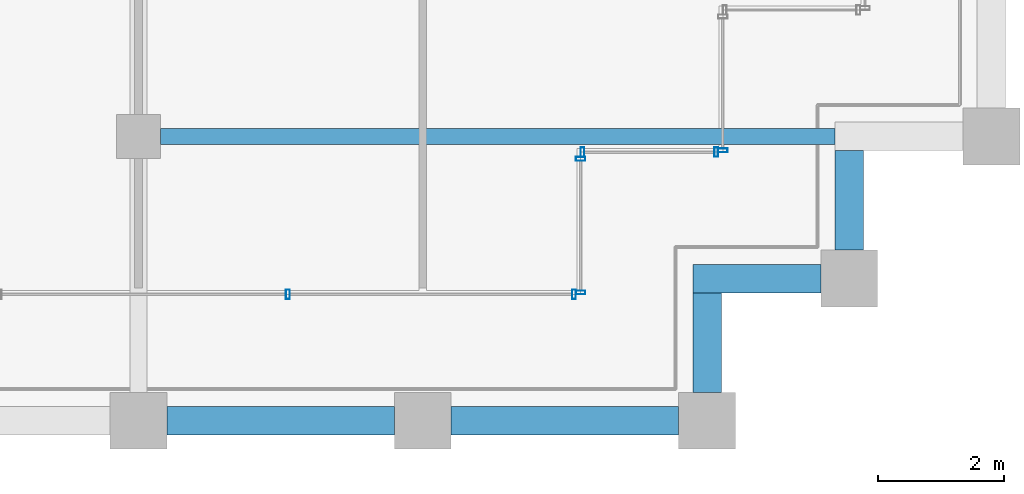
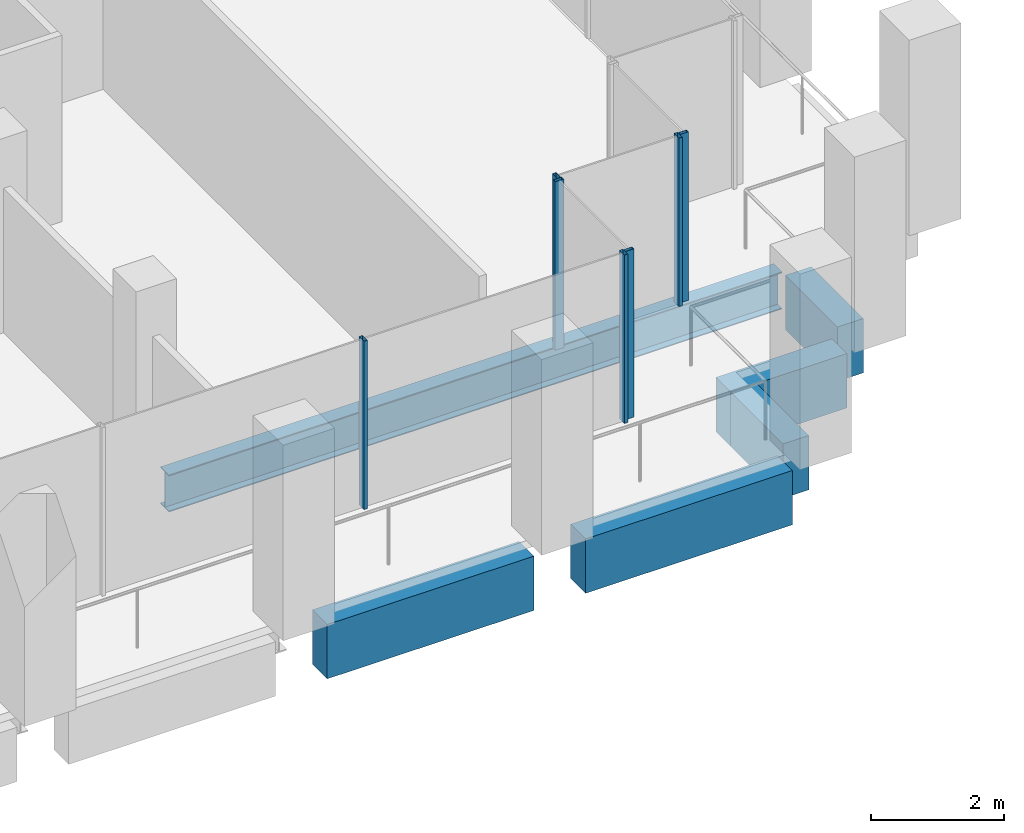
# One storey, part 12 of 40: 7 members, 6 beams, 4 elements without a shape of their own.
"""IFC4 building model written with IfcOpenShell, lengths in metres."""

from ifc_helpers import new_model, si_unit, direction, frame, origin, origin_2d, place, context, subcontext, project, spatial, rectangle, hollow_rectangle, i_section, extrude, material, material_profile, profile_set, type_object, element, aggregate, save


model = new_model("IFC4")

# Units and contexts
model_context = context("Model", 3, precision=1e-05, world=origin(), true_north=direction((0.0, 1.0)))
body_context = subcontext(model_context, "Body", "Model", "MODEL_VIEW")
ifc_project = project(units=[si_unit("LENGTHUNIT", "METRE"), si_unit("AREAUNIT", "SQUARE_METRE"), si_unit("VOLUMEUNIT", "CUBIC_METRE"), si_unit("PLANEANGLEUNIT", "RADIAN"), si_unit("MASSUNIT", "GRAM", prefix="KILO")], contexts=[model_context])

# Site, building, storey
site_placement = place(None, origin())
site = spatial("IfcSite", under=ifc_project, at=site_placement, CompositionType="ELEMENT")
building_placement = place(site_placement, origin())
building = spatial("IfcBuilding", under=site, at=building_placement, Name="Altepetl Exchange Towers", CompositionType="ELEMENT")
storey_placement = place(building_placement, frame((0.0, 0.0, 165.39990234375)))
storey = spatial("IfcBuildingStorey", under=building, at=storey_placement, Name="L41", CompositionType="ELEMENT", Elevation=165.39990234375)

# Beam
ifc_material_1 = material(Name="Steel S355", Category="steel")
ifc_material_profile_1 = material_profile(ifc_material_1, i_section(OverallWidth=0.25390625, OverallDepth=0.68408203125, WebThickness=0.012451171875, FlangeThickness=0.018798828125, at=origin_2d()), Name="W27X94")
ifc_profile_set_1 = profile_set([ifc_material_profile_1], Name="Steel S355")
beam_type_1 = type_object("IfcBeamType", Name="Floor beam W27X94", PredefinedType="BEAM", material=ifc_profile_set_1)
beam_1_placement = place(storey_placement, frame((58.85009765625, 31.5, -0.491943359375), z_axis=(1.0, 0.0, 0.0), x_axis=(0.0, 1.0, 0.0)))
element("IfcBeam", 1, at=beam_1_placement, inside=storey, type_object=beam_type_1, Name="bm:A:L41:006", PredefinedType="BEAM", context=body_context, shape_type="SweptSolid", body=[
    extrude(i_section(OverallWidth=0.25390625, OverallDepth=0.68408203125, WebThickness=0.012451171875, FlangeThickness=0.018798828125, at=origin_2d()), origin(), (0.0, 0.0, 1.0), 10.6748046875),
])

# Curtain wall, members
ifc_material_2 = material(Name="Aluminium 6063-T6 glazing", Category="aluminium")
curtain_wall_type = type_object("IfcCurtainWallType", Name="Loggia glazing system", PredefinedType="NOTDEFINED", material=ifc_material_2)
curtain_wall_1_placement = place(storey_placement, origin())
curtain_wall_1 = element("IfcCurtainWall", 2, at=curtain_wall_1_placement, inside=storey, type_object=curtain_wall_type, Name="CW1 run", PredefinedType="NOTDEFINED")
ifc_material_3 = material(Name="Aluminium 6063-T6", Category="aluminium")
ifc_material_profile_2 = material_profile(ifc_material_3, hollow_rectangle(XDim=0.06005859375, YDim=0.14990234375, WallThickness=0.0029296875, at=origin_2d()), Name="Mullion 60x150 aluminium")
ifc_profile_set_2 = profile_set([ifc_material_profile_2], Name="Aluminium 6063-T6")
member_type = type_object("IfcMemberType", Name="Mullion 60x150 aluminium", PredefinedType="MULLION", material=ifc_profile_set_2)
member_1_placement = place(storey_placement, frame((60.8642578125, 29.0, 0.0)))
member_1 = element("IfcMember", 3, at=member_1_placement, type_object=member_type, Name="MU1 mullion", PredefinedType="MULLION", context=body_context, shape_type="SweptSolid", body=[
    extrude(hollow_rectangle(XDim=0.06005859375, YDim=0.14990234375, WallThickness=0.0029296875, at=origin_2d()), origin(), (0.0, 0.0, 1.0), 3.10009765625),
])
member_2_placement = place(storey_placement, frame((65.39501953125, 29.0, 0.0)))
member_2 = element("IfcMember", 4, at=member_2_placement, type_object=member_type, Name="MU1 mullion", PredefinedType="MULLION", context=body_context, shape_type="SweptSolid", body=[
    extrude(hollow_rectangle(XDim=0.06005859375, YDim=0.14990234375, WallThickness=0.0029296875, at=origin_2d()), origin(), (0.0, 0.0, 1.0), 3.10009765625),
])
aggregate(curtain_wall_1, [member_1, member_2])

curtain_wall_2_placement = place(storey_placement, origin())
curtain_wall_2 = element("IfcCurtainWall", 5, at=curtain_wall_2_placement, inside=storey, type_object=curtain_wall_type, Name="CW1 run", PredefinedType="NOTDEFINED")
member_3_placement = place(storey_placement, frame((65.5, 29.030029296875, 0.0), z_axis=(0.0, 0.0, 1.0), x_axis=(0.0, 1.0, 0.0)))
member_3 = element("IfcMember", 6, at=member_3_placement, type_object=member_type, Name="MU1 mullion", PredefinedType="MULLION", context=body_context, shape_type="SweptSolid", body=[
    extrude(hollow_rectangle(XDim=0.06005859375, YDim=0.14990234375, WallThickness=0.0029296875, at=origin_2d()), origin(), (0.0, 0.0, 1.0), 3.10009765625),
])
member_4_placement = place(storey_placement, frame((65.5, 31.14501953125, 0.0), z_axis=(0.0, 0.0, 1.0), x_axis=(0.0, 1.0, 0.0)))
member_4 = element("IfcMember", 7, at=member_4_placement, type_object=member_type, Name="MU1 mullion", PredefinedType="MULLION", context=body_context, shape_type="SweptSolid", body=[
    extrude(hollow_rectangle(XDim=0.06005859375, YDim=0.14990234375, WallThickness=0.0029296875, at=origin_2d()), origin(), (0.0, 0.0, 1.0), 3.10009765625),
])
aggregate(curtain_wall_2, [member_3, member_4])

curtain_wall_3_placement = place(storey_placement, origin())
curtain_wall_3 = element("IfcCurtainWall", 8, at=curtain_wall_3_placement, inside=storey, type_object=curtain_wall_type, Name="CW1 run", PredefinedType="NOTDEFINED")
member_5_placement = place(storey_placement, frame((65.530029296875, 31.25, 0.0)))
member_5 = element("IfcMember", 9, at=member_5_placement, type_object=member_type, Name="MU1 mullion", PredefinedType="MULLION", context=body_context, shape_type="SweptSolid", body=[
    extrude(hollow_rectangle(XDim=0.06005859375, YDim=0.14990234375, WallThickness=0.0029296875, at=origin_2d()), origin(), (0.0, 0.0, 1.0), 3.10009765625),
])
member_6_placement = place(storey_placement, frame((67.64501953125, 31.25, 0.0)))
member_6 = element("IfcMember", 10, at=member_6_placement, type_object=member_type, Name="MU1 mullion", PredefinedType="MULLION", context=body_context, shape_type="SweptSolid", body=[
    extrude(hollow_rectangle(XDim=0.06005859375, YDim=0.14990234375, WallThickness=0.0029296875, at=origin_2d()), origin(), (0.0, 0.0, 1.0), 3.10009765625),
])
aggregate(curtain_wall_3, [member_5, member_6])

# Curtain wall, member
curtain_wall_4_placement = place(storey_placement, origin())
curtain_wall_4 = element("IfcCurtainWall", 11, at=curtain_wall_4_placement, inside=storey, type_object=curtain_wall_type, Name="CW1 run", PredefinedType="NOTDEFINED")
member_7_placement = place(storey_placement, frame((67.75, 31.280029296875, 0.0), z_axis=(0.0, 0.0, 1.0), x_axis=(0.0, 1.0, 0.0)))
member_7 = element("IfcMember", 12, at=member_7_placement, type_object=member_type, Name="MU1 mullion", PredefinedType="MULLION", context=body_context, shape_type="SweptSolid", body=[
    extrude(hollow_rectangle(XDim=0.06005859375, YDim=0.14990234375, WallThickness=0.0029296875, at=origin_2d()), origin(), (0.0, 0.0, 1.0), 3.10009765625),
])
aggregate(curtain_wall_4, [member_7])

# Beams
ifc_material_4 = material(Name="Concrete C50/60 precast with cantera amarilla facing", Category="concrete")
ifc_material_profile_3 = material_profile(ifc_material_4, rectangle(XDim=0.449951171875, YDim=1.0, at=origin_2d()), Name="450 x 1000")
ifc_profile_set_3 = profile_set([ifc_material_profile_3], Name="Concrete C50/60 precast with cantera amarilla facing")
beam_type_2 = type_object("IfcBeamType", Name="Spandrel beam 450x1000 cantera amarilla", PredefinedType="SPANDREL", material=ifc_profile_set_3)
for number, where, z_axis, x_axis, name in (
    (13, (58.949951171875, 27.0, -0.64990234375), (1.0, 0.0, 0.0), (0.0, 1.0, 0.0), "sp:A:L41:006"),
    (14, (63.449951171875, 27.0, -0.64990234375), (1.0, 0.0, 0.0), (0.0, 1.0, 0.0), "sp:A:L41:007"),
):
    element("IfcBeam", number, at=place(storey_placement, frame(where, z_axis=z_axis, x_axis=x_axis)), inside=storey, type_object=beam_type_2, Name=name, PredefinedType="SPANDREL", context=body_context, shape_type="SweptSolid", body=[
        extrude(rectangle(XDim=0.449951171875, YDim=1.0, at=origin_2d()), origin(), (0.0, 0.0, 1.0), 3.60009765625),
    ])
beam_2_placement = place(storey_placement, frame((67.5, 27.449951171875, -0.64990234375), z_axis=(0.0, 1.0, 0.0), x_axis=(-1.0, 0.0, 0.0)))
element("IfcBeam", 15, at=beam_2_placement, inside=storey, type_object=beam_type_2, Name="sp:A:L41:008", PredefinedType="SPANDREL", context=body_context, shape_type="SweptSolid", body=[
    extrude(rectangle(XDim=0.449951171875, YDim=1.0, at=origin_2d()), origin(), (0.0, 0.0, 1.0), 1.574951171875),
])
beam_3_placement = place(storey_placement, frame((67.27490234375, 29.25, -0.64990234375), z_axis=(1.0, 0.0, 0.0), x_axis=(0.0, 1.0, 0.0)))
element("IfcBeam", 16, at=beam_3_placement, inside=storey, type_object=beam_type_2, Name="sp:A:L41:009", PredefinedType="SPANDREL", context=body_context, shape_type="SweptSolid", body=[
    extrude(rectangle(XDim=0.449951171875, YDim=1.0, at=origin_2d()), origin(), (0.0, 0.0, 1.0), 2.025146484375),
])
beam_4_placement = place(storey_placement, frame((69.75, 29.699951171875, -0.64990234375), z_axis=(0.0, 1.0, 0.0), x_axis=(-1.0, 0.0, 0.0)))
element("IfcBeam", 17, at=beam_4_placement, inside=storey, type_object=beam_type_2, Name="sp:A:L41:010", PredefinedType="SPANDREL", context=body_context, shape_type="SweptSolid", body=[
    extrude(rectangle(XDim=0.449951171875, YDim=1.0, at=origin_2d()), origin(), (0.0, 0.0, 1.0), 1.574951171875),
])

save(model, "model.ifc")
